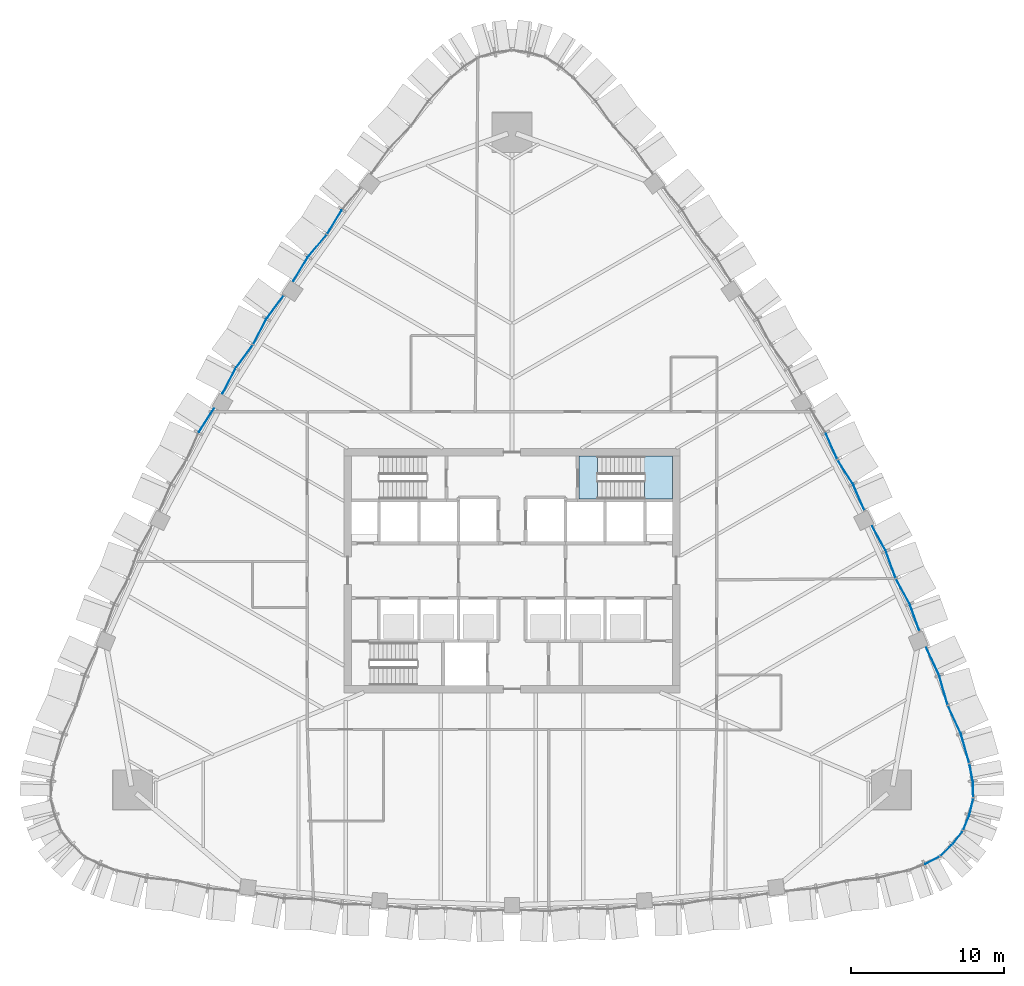
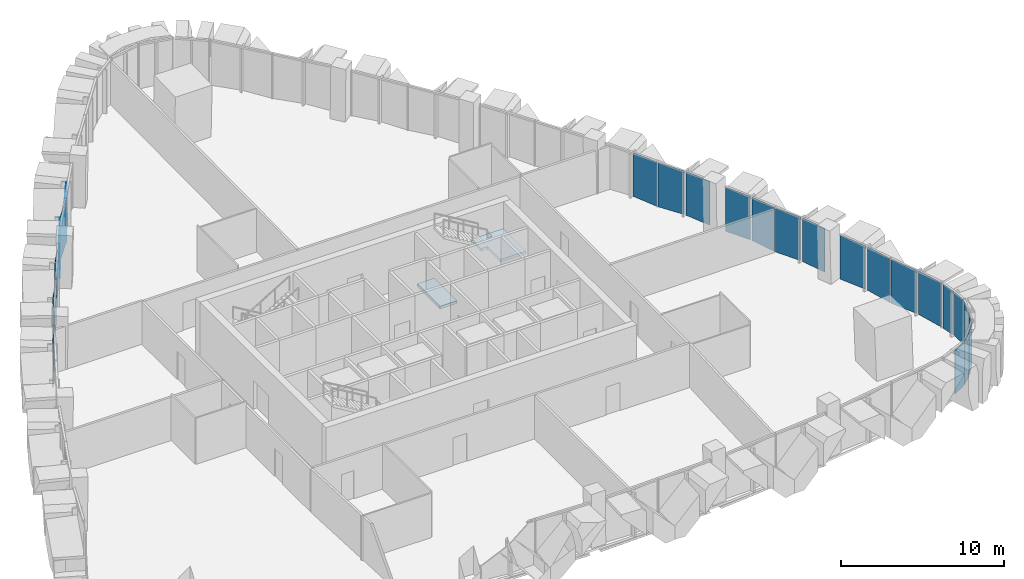
# One storey, part 10 of 18: 26 plates, 2 slabs, 11 elements without a shape of their own.
"""IFC4 building model written with IfcOpenShell, lengths in metres."""

from ifc_helpers import new_model, si_unit, direction, frame, origin, place, context, subcontext, project, spatial, polyline, outline, extrude, material, layer, layer_set, type_object, element, aggregate, save


model = new_model("IFC4")

# Units and contexts
model_context = context("Model", 3, precision=1e-05, world=origin(), true_north=direction((0.0, 1.0)))
body_context = subcontext(model_context, "Body", "Model", "MODEL_VIEW")
ifc_project = project(units=[si_unit("LENGTHUNIT", "METRE"), si_unit("AREAUNIT", "SQUARE_METRE"), si_unit("VOLUMEUNIT", "CUBIC_METRE"), si_unit("PLANEANGLEUNIT", "RADIAN"), si_unit("MASSUNIT", "GRAM", prefix="KILO")], contexts=[model_context])

# Site, building, storey
site_placement = place(None, origin())
site = spatial("IfcSite", under=ifc_project, at=site_placement, CompositionType="ELEMENT")
building_placement = place(site_placement, origin())
building = spatial("IfcBuilding", under=site, at=building_placement, Name="Sierra Prisma Convention Tower", CompositionType="ELEMENT")
storey_placement = place(building_placement, frame((0.0, 0.0, 133.800048828125)))
storey = spatial("IfcBuildingStorey", under=building, at=storey_placement, Name="L28", CompositionType="ELEMENT", Elevation=133.800048828125)

# Curtain wall, plate
ifc_material_1 = material(Name="Aluminium and glass curtain wall", Category="aluminium")
ifc_layer_1 = layer(ifc_material_1, 0.179931640625)
ifc_layer_set_1 = layer_set([ifc_layer_1], Name="CW-2 Faceted crystal curtain wall")
curtain_wall_type = type_object("IfcCurtainWallType", Name="CW-2 Faceted crystal curtain wall", PredefinedType="NOTDEFINED", material=ifc_layer_set_1)
curtain_wall_1_placement = place(storey_placement, origin())
curtain_wall_1 = element("IfcCurtainWall", 1, at=curtain_wall_1_placement, inside=storey, type_object=curtain_wall_type, Name="CW-2 SE1 L28", PredefinedType="NOTDEFINED")
ifc_material_2 = material(Name="Tinted glass bronze-grey IGU", Category="glass")
ifc_layer_2 = layer(ifc_material_2, 0.028076171875)
ifc_layer_set_2 = layer_set([ifc_layer_2], Name="CW-2 crystal pane")
plate_type = type_object("IfcPlateType", Name="CW-2 crystal pane", PredefinedType="CURTAIN_PANEL", material=ifc_layer_set_2)
plate_1_placement = place(storey_placement, frame((27.949462890625, -18.751953125, 0.0), z_axis=(0.471413358121, -0.881912379879, 0.0), x_axis=(-0.881912379879, -0.471413358121, 0.0)))
plate_1 = element("IfcPlate", 2, at=plate_1_placement, type_object=plate_type, Name="CW-2 pane SE1.1.2", PredefinedType="CURTAIN_PANEL", context=body_context, shape_type="SweptSolid", body=[
    extrude(outline(polyline([(0.0, 0.0), (0.9979755055091546, 0.0), (0.9979755055091546, -3.280029296875), (0.0, -3.280029296875), (0.0, 0.0)])), origin(), (0.0, 0.0, -1.0), 0.028076171875),
])
aggregate(curtain_wall_1, [plate_1])

# Curtain wall, plates
curtain_wall_2_placement = place(storey_placement, origin())
curtain_wall_2 = element("IfcCurtainWall", 3, at=curtain_wall_2_placement, inside=storey, type_object=curtain_wall_type, Name="CW-2 SE2 L28", PredefinedType="NOTDEFINED")
plate_2_placement = place(storey_placement, frame((28.060546875, -18.671875, 0.0), z_axis=(0.686752881306, -0.726890968453, 0.0), x_axis=(0.726890968453, 0.686752881306, 0.0)))
plate_2 = element("IfcPlate", 4, at=plate_2_placement, type_object=plate_type, Name="CW-2 pane SE2.1.1", PredefinedType="CURTAIN_PANEL", context=body_context, shape_type="SweptSolid", body=[
    extrude(outline(polyline([(0.0, 0.0), (0.9975329006954963, 0.0), (0.9975329006954963, 3.280029296875), (0.0, 3.280029296875), (0.0, 0.0)])), origin(), (0.0, 0.0, -1.0), 0.028076171875),
])
plate_3_placement = place(storey_placement, frame((29.481689453125, -17.100341796875, 0.0), z_axis=(0.792032379841, -0.610479081774, 0.0), x_axis=(-0.610479081774, -0.792032379841, 0.0)))
plate_3 = element("IfcPlate", 5, at=plate_3_placement, type_object=plate_type, Name="CW-2 pane SE2.1.2", PredefinedType="CURTAIN_PANEL", context=body_context, shape_type="SweptSolid", body=[
    extrude(outline(polyline([(0.0, 0.0), (0.9977915338308079, 0.0), (0.9977915338308079, -3.280029296875), (0.0, -3.280029296875), (0.0, 0.0)])), origin(), (0.0, 0.0, -1.0), 0.028076171875),
])
aggregate(curtain_wall_2, [plate_2, plate_3])

curtain_wall_3_placement = place(storey_placement, origin())
curtain_wall_3 = element("IfcCurtainWall", 6, at=curtain_wall_3_placement, inside=storey, type_object=curtain_wall_type, Name="CW-2 SE3 L28", PredefinedType="NOTDEFINED")
plate_4_placement = place(storey_placement, frame((29.550048828125, -16.981689453125, 0.0), z_axis=(0.924683165935, -0.380737498332, 0.0), x_axis=(0.380737498332, 0.924683165935, 0.0)))
plate_4 = element("IfcPlate", 7, at=plate_4_placement, type_object=plate_type, Name="CW-2 pane SE3.1.1", PredefinedType="CURTAIN_PANEL", context=body_context, shape_type="SweptSolid", body=[
    extrude(outline(polyline([(0.0, 0.0), (0.997755183465235, 0.0), (0.997755183465235, 3.280029296875), (0.0, 3.280029296875), (0.0, 0.0)])), origin(), (0.0, 0.0, -1.0), 0.028076171875),
])
plate_5_placement = place(storey_placement, frame((30.20068359375, -14.965087890625, 0.0), z_axis=(0.972842956766, -0.231466156212, 0.0), x_axis=(-0.231466156212, -0.972842956766, 0.0)))
plate_5 = element("IfcPlate", 8, at=plate_5_placement, type_object=plate_type, Name="CW-2 pane SE3.1.2", PredefinedType="CURTAIN_PANEL", context=body_context, shape_type="SweptSolid", body=[
    extrude(outline(polyline([(0.0, 0.0), (0.9978004345401835, 0.0), (0.9978004345401835, -3.280029296875), (0.0, -3.280029296875), (0.0, 0.0)])), origin(), (0.0, 0.0, -1.0), 0.028076171875),
])
aggregate(curtain_wall_3, [plate_4, plate_5])

curtain_wall_4_placement = place(storey_placement, origin())
curtain_wall_4 = element("IfcCurtainWall", 9, at=curtain_wall_4_placement, inside=storey, type_object=curtain_wall_type, Name="CW-2 SE4 L28", PredefinedType="NOTDEFINED")
plate_6_placement = place(storey_placement, frame((30.21435546875, -14.828857421875, 0.0), z_axis=(0.999470404779, 0.0325408969, 0.0), x_axis=(-0.0325408969, 0.999470404779, 0.0)))
plate_6 = element("IfcPlate", 10, at=plate_6_placement, type_object=plate_type, Name="CW-2 pane SE4.1.1", PredefinedType="CURTAIN_PANEL", context=body_context, shape_type="SweptSolid", body=[
    extrude(outline(polyline([(0.0, 0.0), (0.9978429059593749, 0.0), (0.9978429059593749, 3.280029296875), (0.0, 3.280029296875), (0.0, 0.0)])), origin(), (0.0, 0.0, -1.0), 0.028076171875),
])
plate_7_placement = place(storey_placement, frame((29.979248046875, -12.722900390625, 0.0), z_axis=(0.982048303992, 0.18862960697, 0.0), x_axis=(0.18862960697, -0.982048303992, 0.0)))
plate_7 = element("IfcPlate", 11, at=plate_7_placement, type_object=plate_type, Name="CW-2 pane SE4.1.2", PredefinedType="CURTAIN_PANEL", context=body_context, shape_type="SweptSolid", body=[
    extrude(outline(polyline([(0.0, 0.0), (0.9978943650389042, 0.0), (0.9978943650389042, -3.280029296875), (0.0, -3.280029296875), (0.0, 0.0)])), origin(), (0.0, 0.0, -1.0), 0.028076171875),
])
aggregate(curtain_wall_4, [plate_6, plate_7])

curtain_wall_5_placement = place(storey_placement, origin())
curtain_wall_5 = element("IfcCurtainWall", 12, at=curtain_wall_5_placement, inside=storey, type_object=curtain_wall_type, Name="CW-2 NE1 L28", PredefinedType="NOTDEFINED")
plate_8_placement = place(storey_placement, frame((29.947265625, -12.587646484375, 0.0), z_axis=(0.96169474077, 0.274122646957, 0.0), x_axis=(-0.274122646957, 0.96169474077, 0.0)))
plate_8 = element("IfcPlate", 13, at=plate_8_placement, type_object=plate_type, Name="CW-2 pane NE1.1.1", PredefinedType="CURTAIN_PANEL", context=body_context, shape_type="SweptSolid", body=[
    extrude(outline(polyline([(0.0, 0.0), (1.9397823826411964, 0.0), (1.9397823826411964, 3.280029296875), (0.0, 3.280029296875), (0.0, 0.0)])), origin(), (0.0, 0.0, -1.0), 0.028076171875),
])
plate_9_placement = place(storey_placement, frame((28.55322265625, -8.84130859375, 0.0), z_axis=(0.906943715936, 0.421251820322, 0.0), x_axis=(0.421251820322, -0.906943715936, 0.0)))
plate_9 = element("IfcPlate", 14, at=plate_9_placement, type_object=plate_type, Name="CW-2 pane NE1.1.2", PredefinedType="CURTAIN_PANEL", context=body_context, shape_type="SweptSolid", body=[
    extrude(outline(polyline([(0.0, 0.0), (1.9397866844850995, 0.0), (1.9397866844850995, -3.280029296875001), (0.0, -3.280029296875001), (0.0, 0.0)])), origin(), (0.0, 0.0, -1.0), 0.028076171875),
])
plate_10_placement = place(storey_placement, frame((28.52880859375, -8.775634765625, 0.0), z_axis=(0.96169474077, 0.274122646957, 0.0), x_axis=(-0.274122646957, 0.96169474077, 0.0)))
plate_10 = element("IfcPlate", 15, at=plate_10_placement, type_object=plate_type, Name="CW-2 pane NE1.2.1", PredefinedType="CURTAIN_PANEL", context=body_context, shape_type="SweptSolid", body=[
    extrude(outline(polyline([(0.0, 0.0), (1.9397823826411964, 0.0), (1.9397823826411964, 3.280029296875), (0.0, 3.280029296875), (0.0, 0.0)])), origin(), (0.0, 0.0, -1.0), 0.028076171875),
])
plate_11_placement = place(storey_placement, frame((27.135009765625, -5.029052734375, 0.0), z_axis=(0.907014117965, 0.421100213502, 0.0), x_axis=(0.421100213502, -0.907014117965, 0.0)))
plate_11 = element("IfcPlate", 16, at=plate_11_placement, type_object=plate_type, Name="CW-2 pane NE1.2.2", PredefinedType="CURTAIN_PANEL", context=body_context, shape_type="SweptSolid", body=[
    extrude(outline(polyline([(0.0, 0.0), (1.9399052887095702, 0.0), (1.9399052887095702, -3.280029296875001), (0.0, -3.280029296875001), (0.0, 0.0)])), origin(), (0.0, 0.0, -1.0), 0.028076171875),
])
aggregate(curtain_wall_5, [plate_8, plate_9, plate_10, plate_11])

curtain_wall_6_placement = place(storey_placement, origin())
curtain_wall_6 = element("IfcCurtainWall", 17, at=curtain_wall_6_placement, inside=storey, type_object=curtain_wall_type, Name="CW-2 NE2 L28", PredefinedType="NOTDEFINED")
plate_12_placement = place(storey_placement, frame((26.683837890625, -3.9345703125, 0.0), z_axis=(0.941220058355, 0.337794022669, 0.0), x_axis=(-0.337794022669, 0.941220058355, 0.0)))
plate_12 = element("IfcPlate", 18, at=plate_12_placement, type_object=plate_type, Name="CW-2 pane NE2.1.1", PredefinedType="CURTAIN_PANEL", context=body_context, shape_type="SweptSolid", body=[
    extrude(outline(polyline([(0.0, 0.0), (1.8032612139259157, 0.0), (1.8032612139259157, 3.280029296875001), (0.0, 3.280029296875001), (0.0, 0.0)])), origin(), (0.0, 0.0, -1.0), 0.028076171875),
])
plate_13_placement = place(storey_placement, frame((25.154052734375, -0.5380859375, 0.0), z_axis=(0.87671849264, 0.481003830196, 0.0), x_axis=(0.481003830196, -0.87671849264, 0.0)))
plate_13 = element("IfcPlate", 19, at=plate_13_placement, type_object=plate_type, Name="CW-2 pane NE2.1.2", PredefinedType="CURTAIN_PANEL", context=body_context, shape_type="SweptSolid", body=[
    extrude(outline(polyline([(0.0, 0.0), (1.8033778239800728, 0.0), (1.8033778239800728, -3.280029296875001), (0.0, -3.280029296875001), (0.0, 0.0)])), origin(), (0.0, 0.0, -1.0), 0.028076171875),
])
plate_14_placement = place(storey_placement, frame((25.12548828125, -0.47412109375, 0.0), z_axis=(0.941177007501, 0.337913954362, 0.0), x_axis=(-0.337913954362, 0.941177007501, 0.0)))
plate_14 = element("IfcPlate", 20, at=plate_14_placement, type_object=plate_type, Name="CW-2 pane NE2.2.1", PredefinedType="CURTAIN_PANEL", context=body_context, shape_type="SweptSolid", body=[
    extrude(outline(polyline([(0.0, 0.0), (1.8033436978101653, 0.0), (1.8033436978101653, 3.280029296875001), (0.0, 3.280029296875001), (0.0, 0.0)])), origin(), (0.0, 0.0, -1.0), 0.028076171875),
])
plate_15_placement = place(storey_placement, frame((23.595703125, 2.92236328125, 0.0), z_axis=(0.876775580442, 0.480899762466, 0.0), x_axis=(0.480899762466, -0.876775580442, 0.0)))
plate_15 = element("IfcPlate", 21, at=plate_15_placement, type_object=plate_type, Name="CW-2 pane NE2.2.2", PredefinedType="CURTAIN_PANEL", context=body_context, shape_type="SweptSolid", body=[
    extrude(outline(polyline([(0.0, 0.0), (1.803260404107508, 0.0), (1.803260404107508, -3.280029296875), (0.0, -3.280029296875), (0.0, 0.0)])), origin(), (0.0, 0.0, -1.0), 0.028076171875),
])
aggregate(curtain_wall_6, [plate_12, plate_13, plate_14, plate_15])

curtain_wall_7_placement = place(storey_placement, origin())
curtain_wall_7 = element("IfcCurtainWall", 22, at=curtain_wall_7_placement, inside=storey, type_object=curtain_wall_type, Name="CW-2 NE3 L28", PredefinedType="NOTDEFINED")
plate_16_placement = place(storey_placement, frame((23.08740234375, 3.9560546875, 0.0), z_axis=(0.91650344334, 0.400026797034, 0.0), x_axis=(-0.400026797034, 0.91650344334, 0.0)))
plate_16 = element("IfcPlate", 23, at=plate_16_placement, type_object=plate_type, Name="CW-2 pane NE3.1.1", PredefinedType="CURTAIN_PANEL", context=body_context, shape_type="SweptSolid", body=[
    extrude(outline(polyline([(0.0, 0.0), (1.8114020869900622, 0.0), (1.8114020869900622, 3.280029296875), (0.0, 3.280029296875), (0.0, 0.0)])), origin(), (0.0, 0.0, -1.0), 0.028076171875),
])
plate_17_placement = place(storey_placement, frame((21.326416015625, 7.2568359375, 0.0), z_axis=(0.842655490533, 0.538453084562, 0.0), x_axis=(0.538453084562, -0.842655490533, 0.0)))
plate_17 = element("IfcPlate", 24, at=plate_17_placement, type_object=plate_type, Name="CW-2 pane NE3.1.2", PredefinedType="CURTAIN_PANEL", context=body_context, shape_type="SweptSolid", body=[
    extrude(outline(polyline([(0.0, 0.0), (1.8113774901461084, 0.0), (1.8113774901461084, -3.280029296875), (0.0, -3.280029296875), (0.0, 0.0)])), origin(), (0.0, 0.0, -1.0), 0.028076171875),
])
plate_18_placement = place(storey_placement, frame((21.29345703125, 7.318603515625, 0.0), z_axis=(0.916481871667, 0.400076216371, 0.0), x_axis=(-0.400076216371, 0.916481871667, 0.0)))
plate_18 = element("IfcPlate", 25, at=plate_18_placement, type_object=plate_type, Name="CW-2 pane NE3.2.1", PredefinedType="CURTAIN_PANEL", context=body_context, shape_type="SweptSolid", body=[
    extrude(outline(polyline([(0.0, 0.0), (1.811178333899689, 0.0), (1.811178333899689, 3.280029296875001), (0.0, 3.280029296875001), (0.0, 0.0)])), origin(), (0.0, 0.0, -1.0), 0.028076171875),
])
aggregate(curtain_wall_7, [plate_16, plate_17, plate_18])

curtain_wall_8_placement = place(storey_placement, origin())
curtain_wall_8 = element("IfcCurtainWall", 26, at=curtain_wall_8_placement, inside=storey, type_object=curtain_wall_type, Name="CW-2 NW2 L28", PredefinedType="NOTDEFINED")
plate_19_placement = place(storey_placement, frame((-12.111328125, 22.052978515625, 0.0), z_axis=(-0.854817543151, 0.51892867325, 0.0), x_axis=(0.51892867325, 0.854817543151, 0.0)))
plate_19 = element("IfcPlate", 27, at=plate_19_placement, type_object=plate_type, Name="CW-2 pane NW2.1.2", PredefinedType="CURTAIN_PANEL", context=body_context, shape_type="SweptSolid", body=[
    extrude(outline(polyline([(0.0, 0.0), (1.8033133720761008, 0.0), (1.8033133720761008, -3.280029296875), (0.0, -3.280029296875), (0.0, 0.0)])), origin(), (0.0, 0.0, -1.0), 0.028076171875),
])
plate_20_placement = place(storey_placement, frame((-12.152099609375, 21.996337890625, 0.0), z_axis=(-0.763170559001, 0.646197104508, 0.0), x_axis=(-0.646197104508, -0.763170559001, 0.0)))
plate_20 = element("IfcPlate", 28, at=plate_20_placement, type_object=plate_type, Name="CW-2 pane NW2.2.1", PredefinedType="CURTAIN_PANEL", context=body_context, shape_type="SweptSolid", body=[
    extrude(outline(polyline([(0.0, 0.0), (1.8032937551034576, 0.0), (1.8032937551034576, 3.280029296875), (0.0, 3.280029296875), (0.0, 0.0)])), origin(), (0.0, 0.0, -1.0), 0.028076171875),
])
plate_21_placement = place(storey_placement, frame((-14.32861328125, 18.973388671875, 0.0), z_axis=(-0.854877596752, 0.518829735628, 0.0), x_axis=(0.518829735628, 0.854877596752, 0.0)))
plate_21 = element("IfcPlate", 29, at=plate_21_placement, type_object=plate_type, Name="CW-2 pane NW2.2.2", PredefinedType="CURTAIN_PANEL", context=body_context, shape_type="SweptSolid", body=[
    extrude(outline(polyline([(0.0, 0.0), (1.8031866925824054, 0.0), (1.8031866925824054, -3.280029296875), (0.0, -3.280029296875), (0.0, 0.0)])), origin(), (0.0, 0.0, -1.0), 0.028076171875),
])
aggregate(curtain_wall_8, [plate_19, plate_20, plate_21])

curtain_wall_9_placement = place(storey_placement, origin())
curtain_wall_9 = element("IfcCurtainWall", 30, at=curtain_wall_9_placement, inside=storey, type_object=curtain_wall_type, Name="CW-2 NW3 L28", PredefinedType="NOTDEFINED")
plate_22_placement = place(storey_placement, frame((-14.969970703125, 18.01611328125, 0.0), z_axis=(-0.804730464183, 0.593640362523, 0.0), x_axis=(-0.593640362523, -0.804730464183, 0.0)))
plate_22 = element("IfcPlate", 31, at=plate_22_placement, type_object=plate_type, Name="CW-2 pane NW3.1.1", PredefinedType="CURTAIN_PANEL", context=body_context, shape_type="SweptSolid", body=[
    extrude(outline(polyline([(0.0, 0.0), (1.811189704033565, 0.0), (1.811189704033565, 3.280029296875), (0.0, 3.280029296875), (0.0, 0.0)])), origin(), (0.0, 0.0, -1.0), 0.028076171875),
])
plate_23_placement = place(storey_placement, frame((-16.94775390625, 14.8408203125, 0.0), z_axis=(-0.887697404698, 0.460427320749, 0.0), x_axis=(0.460427320749, 0.887697404698, 0.0)))
plate_23 = element("IfcPlate", 32, at=plate_23_placement, type_object=plate_type, Name="CW-2 pane NW3.1.2", PredefinedType="CURTAIN_PANEL", context=body_context, shape_type="SweptSolid", body=[
    extrude(outline(polyline([(0.0, 0.0), (1.8113268640187614, 0.0), (1.8113268640187614, -3.280029296875), (0.0, -3.280029296875), (0.0, 0.0)])), origin(), (0.0, 0.0, -1.0), 0.028076171875),
])
plate_24_placement = place(storey_placement, frame((-16.98486328125, 14.781494140625, 0.0), z_axis=(-0.804777959664, 0.593575972929, 0.0), x_axis=(-0.593575972929, -0.804777959664, 0.0)))
plate_24 = element("IfcPlate", 33, at=plate_24_placement, type_object=plate_type, Name="CW-2 pane NW3.2.1", PredefinedType="CURTAIN_PANEL", context=body_context, shape_type="SweptSolid", body=[
    extrude(outline(polyline([(0.0, 0.0), (1.8113861772301498, 0.0), (1.8113861772301498, 3.280029296875), (0.0, 3.280029296875), (0.0, 0.0)])), origin(), (0.0, 0.0, -1.0), 0.028076171875),
])
plate_25_placement = place(storey_placement, frame((-18.962646484375, 11.60595703125, 0.0), z_axis=(-0.887697404698, 0.460427320749, 0.0), x_axis=(0.460427320749, 0.887697404698, 0.0)))
plate_25 = element("IfcPlate", 34, at=plate_25_placement, type_object=plate_type, Name="CW-2 pane NW3.2.2", PredefinedType="CURTAIN_PANEL", context=body_context, shape_type="SweptSolid", body=[
    extrude(outline(polyline([(0.0, 0.0), (1.8113268640187614, 0.0), (1.8113268640187614, -3.280029296875), (0.0, -3.280029296875), (0.0, 0.0)])), origin(), (0.0, 0.0, -1.0), 0.028076171875),
])
aggregate(curtain_wall_9, [plate_22, plate_23, plate_24, plate_25])

# Curtain wall, plate
curtain_wall_10_placement = place(storey_placement, origin())
curtain_wall_10 = element("IfcCurtainWall", 35, at=curtain_wall_10_placement, inside=storey, type_object=curtain_wall_type, Name="CW-2 NW4 L28", PredefinedType="NOTDEFINED")
plate_26_placement = place(storey_placement, frame((-19.532470703125, 10.619140625, 0.0), z_axis=(-0.84261640637, 0.538514244673, 0.0), x_axis=(-0.538514244673, -0.84261640637, 0.0)))
plate_26 = element("IfcPlate", 36, at=plate_26_placement, type_object=plate_type, Name="CW-2 pane NW4.1.1", PredefinedType="CURTAIN_PANEL", context=body_context, shape_type="SweptSolid", body=[
    extrude(outline(polyline([(0.0, 0.0), (1.8111717684787345, 0.0), (1.8111717684787345, 3.280029296875), (0.0, 3.280029296875), (0.0, 0.0)])), origin(), (0.0, 0.0, -1.0), 0.028076171875),
])
aggregate(curtain_wall_10, [plate_26])

# Stair, slab
ifc_material_3 = material(Name="Concrete C30/37", Category="concrete")
stair_type = type_object("IfcStairType", Name="Stair dog-leg 1200 RC", PredefinedType="HALF_TURN_STAIR", material=ifc_material_3)
stair_placement = place(storey_placement, origin())
stair = element("IfcStair", 37, at=stair_placement, inside=storey, type_object=stair_type, Name="L28 S4", PredefinedType="HALF_TURN_STAIR")
ifc_material_4 = material(Name="Concrete C35/45", Category="concrete")
ifc_layer_3 = layer(ifc_material_4, 0.199951171875)
ifc_layer_set_3 = layer_set([ifc_layer_3], Name="Stair landing slab")
slab_type = type_object("IfcSlabType", Name="Stair landing slab", PredefinedType="LANDING", material=ifc_layer_set_3)
slab_1_placement = place(storey_placement, frame((0.0, 0.0, 1.800048828125)))
slab_1 = element("IfcSlab", 38, at=slab_1_placement, type_object=slab_type, Name="S4 landing 1", PredefinedType="LANDING", context=body_context, shape_type="SweptSolid", body=[
    extrude(outline(polyline([(10.5, 7.5), (10.5, 4.699951171875), (8.677978515625, 4.699951171875), (8.677978515625, 6.300048828125), (8.22998046875, 6.300048828125), (8.22998046875, 7.5), (10.5, 7.5)])), origin(), (0.0, 0.0, 1.0), 0.199951171875),
])
aggregate(stair, [slab_1])

# Slab
slab_2_placement = place(storey_placement, frame((0.0, 0.0, -0.199951171875)))
element("IfcSlab", 39, at=slab_2_placement, inside=storey, type_object=slab_type, Name="S4 floor landing L28", PredefinedType="LANDING", context=body_context, shape_type="SweptSolid", body=[
    extrude(outline(polyline([(4.39990234375, 4.699951171875), (5.60205078125, 4.699951171875), (5.60205078125, 7.5), (4.39990234375, 7.5), (4.39990234375, 4.699951171875)])), origin(), (0.0, 0.0, 1.0), 0.199951171875),
])

save(model, "model.ifc")
